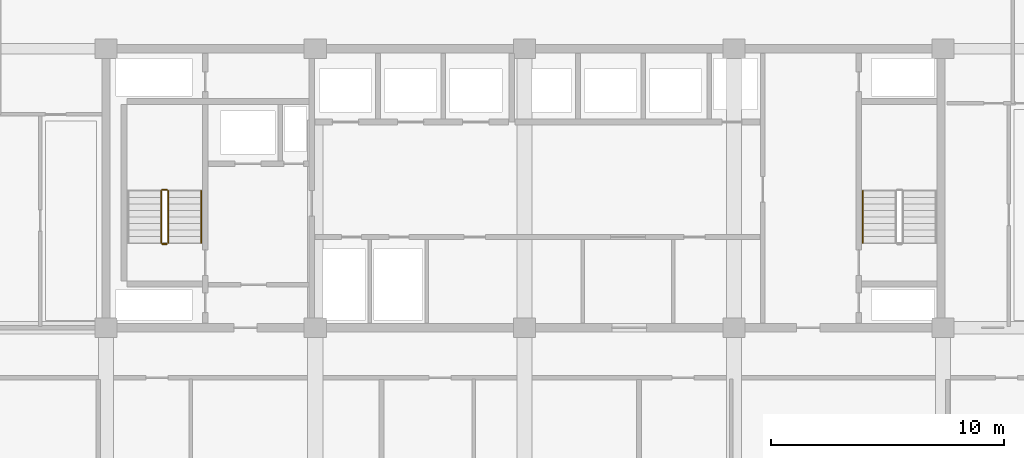
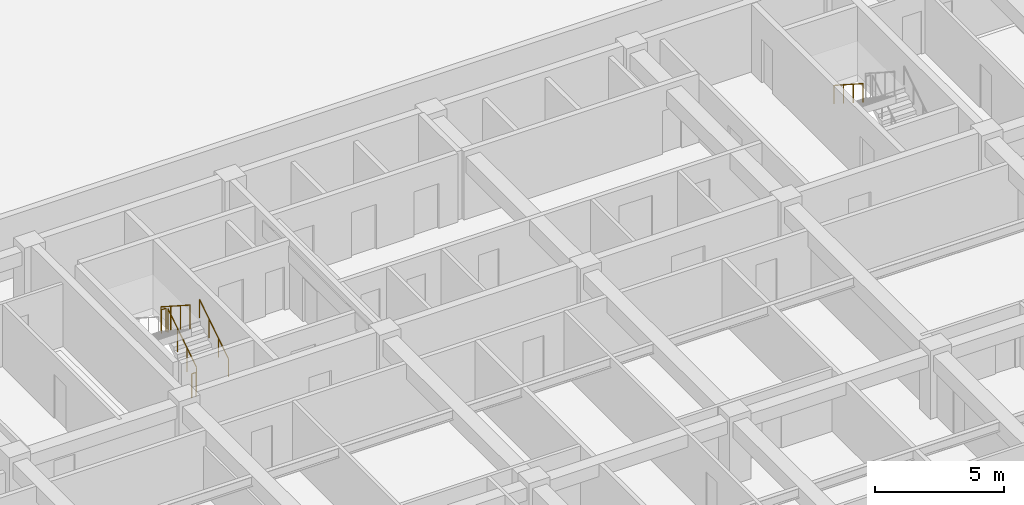
# One storey, part 20 of 24: 6 railings.
"""IFC4 building model written with IfcOpenShell, lengths in metres."""

import ifcopenshell
import ifcopenshell.guid

model = None  # the IFC model being written
_history = None  # IfcOwnerHistory: only IFC2X3 demands one
_inside = {}  # id of a spatial element -> (the spatial element, [elements in it])
_under = {}  # id of a project, library or spatial element -> (it, [spatial elements below it])
_declared = {}  # id of a project -> (the project, [libraries it declares])
_typed = {}  # id of a type object -> (the type object, [elements of that type])
_made_of = {}  # id of a material, layer set ... -> (it, [elements and type objects made of it])


def new_model(schema):
    """Start an empty IFC model of exactly this schema.

    Asked for "IFC4X3", IfcOpenShell would pick the latest addendum, in which some entities
    have other attributes; the version numbers below select the first issue.
    IFC2X3 requires an IfcOwnerHistory on every rooted entity: one is made here for all.
    """
    global model, _history
    if schema == "IFC4X3":
        model = ifcopenshell.file(schema_version=(4, 3, 0, 0))
    else:
        model = ifcopenshell.file(schema=schema)
    _inside.clear()
    _under.clear()
    _declared.clear()
    _typed.clear()
    _made_of.clear()
    _history = None
    if model.schema == "IFC2X3":
        org = make("IfcOrganization", Name="unknown")
        user = make(
            "IfcPersonAndOrganization",
            ThePerson=make("IfcPerson", FamilyName="unknown"),
            TheOrganization=org,
        )
        app = make(
            "IfcApplication",
            ApplicationDeveloper=org,
            Version="unknown",
            ApplicationFullName="unknown",
            ApplicationIdentifier="unknown",
        )
        _history = make(
            "IfcOwnerHistory",
            OwningUser=user,
            OwningApplication=app,
            ChangeAction="ADDED",
            CreationDate=0,
        )
    return model


def make(cls, **values):
    """One entity of the class cls with the attributes given. An attribute that is None is left unset."""
    return model.create_entity(
        cls, **{name: value for name, value in values.items() if value is not None}
    )


def rooted(cls, **values):
    """An entity with a GlobalId (a new one), such as an element, a storey or a relation."""
    return make(cls, GlobalId=ifcopenshell.guid.new(), OwnerHistory=_history, **values)


def si_unit(unit_type, name, prefix=None):
    """IfcSIUnit, for example si_unit("LENGTHUNIT", "METRE", prefix="MILLI")."""
    return make("IfcSIUnit", UnitType=unit_type, Prefix=prefix, Name=name)


def assignment(units):
    """IfcUnitAssignment: the units of a project."""
    return None if units is None else make("IfcUnitAssignment", Units=units)


def point(xyz):
    """IfcCartesianPoint."""
    return None if xyz is None else make("IfcCartesianPoint", Coordinates=xyz)


def direction(xyz):
    """IfcDirection."""
    return None if xyz is None else make("IfcDirection", DirectionRatios=xyz)


def frame(location, z_axis=None, x_axis=None):
    """IfcAxis2Placement3D, a coordinate frame: its origin and axes. An axis left out is left unset."""
    return make(
        "IfcAxis2Placement3D",
        Location=point(location),
        Axis=direction(z_axis),
        RefDirection=direction(x_axis),
    )


def frame_2d(location, x_axis=None):
    """IfcAxis2Placement2D, a coordinate frame in the plane: its origin and x axis."""
    return make(
        "IfcAxis2Placement2D", Location=point(location), RefDirection=direction(x_axis)
    )


def origin():
    """The frame at (0, 0, 0) with its axes left unset."""
    return frame((0.0, 0.0, 0.0))


def origin_2d():
    """The frame at (0, 0) in the plane with its x axis left unset."""
    return frame_2d((0.0, 0.0))


def place(relative_to, where):
    """IfcLocalPlacement: puts the frame where relative to a parent placement (None: the world)."""
    return make(
        "IfcLocalPlacement", PlacementRelTo=relative_to, RelativePlacement=where
    )


def context(
    kind, dimensions, precision=None, world=None, true_north=None, identifier=None
):
    """IfcGeometricRepresentationContext, for example the 3D "Model" context."""
    return make(
        "IfcGeometricRepresentationContext",
        ContextIdentifier=identifier,
        ContextType=kind,
        CoordinateSpaceDimension=dimensions,
        Precision=precision,
        WorldCoordinateSystem=world,
        TrueNorth=true_north,
    )


def subcontext(parent, identifier, kind, view, scale=None):
    """IfcGeometricRepresentationSubContext, for example "Body" below "Model"."""
    return make(
        "IfcGeometricRepresentationSubContext",
        ContextIdentifier=identifier,
        ContextType=kind,
        ParentContext=parent,
        TargetScale=scale,
        TargetView=view,
    )


def project(units=None, contexts=None):
    """IfcProject with its units and contexts."""
    return rooted(
        "IfcProject",
        Name="project",
        RepresentationContexts=contexts,
        UnitsInContext=assignment(units),
    )


def spatial(cls, under=None, at=None, **own):
    """A site, building, storey or space (cls), placed at a placement, below another one or the project."""
    s = rooted(cls, ObjectPlacement=at, **own)
    if under is not None:
        _under.setdefault(under.id(), (under, []))[1].append(s)
    return s


def profile(cls, at=None, kind="AREA", **sizes):
    """A parametric profile (cls). Its sizes go by their IFC names, for example OverallWidth=200.0."""
    return make(cls, ProfileType=kind, Position=at, **sizes)


def circle(**sizes):
    """IfcCircleProfileDef."""
    return profile("IfcCircleProfileDef", **sizes)


def extrude(swept, where, along, depth):
    """IfcExtrudedAreaSolid: the profile swept, set in the frame where, extruded along a direction by depth."""
    return make(
        "IfcExtrudedAreaSolid",
        SweptArea=swept,
        Position=where,
        ExtrudedDirection=direction(along),
        Depth=depth,
    )


def shape(context_of_items, identifier, shape_type, items):
    """IfcShapeRepresentation: the items that make up one representation, for example the "Body"."""
    return make(
        "IfcShapeRepresentation",
        ContextOfItems=context_of_items,
        RepresentationIdentifier=identifier,
        RepresentationType=shape_type,
        Items=items,
    )


def material(Name=None, Category=None):
    """IfcMaterial."""
    return make("IfcMaterial", Name=Name, Category=Category)


def made_of(thing, what):
    """Note that an element or type object is made of a material, layer set ...; save() writes the relation."""
    if what is not None:
        _made_of.setdefault(what.id(), (what, []))[1].append(thing)
    return thing


def type_object(cls, material=None, **own):
    """A type object (cls), such as IfcWallType, which elements share."""
    return made_of(rooted(cls, **own), material)


def element(
    cls,
    number,
    at=None,
    inside=None,
    cuts=None,
    type_object=None,
    material=None,
    context=None,
    identifier="Body",
    shape_type=None,
    held_by="IfcProductDefinitionShape",
    body=None,
    shapes=None,
    **own,
):
    """One element of the class cls, such as IfcWall. Its Tag is "e" and its number.

    at: its placement. inside: the storey or other place that contains it. cuts: it is an
    opening in that element (IfcRelVoidsElement). A single representation is given by context,
    identifier, shape_type and body (its items); several are given by shapes. held_by: the class
    of the entity that holds the representations. save() writes the other relations.
    """
    e = rooted(cls, Tag="e%d" % number, ObjectPlacement=at, **own)
    if body is not None:
        shapes = [shape(context, identifier, shape_type, body)]
    if shapes is not None:
        e.Representation = make(held_by, Representations=shapes)
    if inside is not None:
        _inside.setdefault(inside.id(), (inside, []))[1].append(e)
    if cuts is not None:
        rooted(
            "IfcRelVoidsElement", RelatingBuildingElement=cuts, RelatedOpeningElement=e
        )
    if type_object is not None:
        _typed.setdefault(type_object.id(), (type_object, []))[1].append(e)
    return made_of(e, material)


def aggregate(whole, parts):
    """IfcRelAggregates: a whole, such as a stair, and the parts it consists of."""
    return rooted("IfcRelAggregates", RelatingObject=whole, RelatedObjects=parts)


def save(model, path):
    """Write the relations noted so far, then the file.

    IfcRelAggregates (storeys below a building ...), IfcRelContainedInSpatialStructure (elements
    in a storey), IfcRelDefinesByType, IfcRelAssociatesMaterial and IfcRelDeclares: one each for
    every whole, place, type object, material and project.
    """
    for whole, parts in _under.values():
        aggregate(whole, parts)
    for where, things in _inside.values():
        rooted(
            "IfcRelContainedInSpatialStructure",
            RelatedElements=things,
            RelatingStructure=where,
        )
    for kind, things in _typed.values():
        rooted("IfcRelDefinesByType", RelatedObjects=things, RelatingType=kind)
    for what, things in _made_of.values():
        rooted("IfcRelAssociatesMaterial", RelatedObjects=things, RelatingMaterial=what)
    for by, libraries in _declared.values():
        rooted("IfcRelDeclares", RelatingContext=by, RelatedDefinitions=libraries)
    model.write(path)


model = new_model("IFC4")

# Units and contexts
model_context = context("Model", 3, precision=1e-05, world=origin(), true_north=direction((0.0, 1.0)))
body_context = subcontext(model_context, "Body", "Model", "MODEL_VIEW")
ifc_project = project(units=[si_unit("LENGTHUNIT", "METRE"), si_unit("AREAUNIT", "SQUARE_METRE"), si_unit("VOLUMEUNIT", "CUBIC_METRE"), si_unit("PLANEANGLEUNIT", "RADIAN"), si_unit("MASSUNIT", "GRAM", prefix="KILO")], contexts=[model_context])

# Site, building, storey
site_placement = place(None, origin())
site = spatial("IfcSite", under=ifc_project, at=site_placement, CompositionType="ELEMENT")
building_placement = place(site_placement, origin())
building = spatial("IfcBuilding", under=site, at=building_placement, Name="Korimba Cascade Residences", CompositionType="ELEMENT")
storey_placement = place(building_placement, frame((0.0, 0.0, 24.0)))
storey = spatial("IfcBuildingStorey", under=building, at=storey_placement, Name="L05", CompositionType="ELEMENT", Elevation=24.0)

# Railings
ifc_material_1 = material(Name="Painted Steel Stairwell Guardrail", Category="steel")
railing_type_1 = type_object("IfcRailingType", Name="RLG-ST-GD1150", PredefinedType="GUARDRAIL", material=ifc_material_1)
railing_1_placement = place(storey_placement, frame((84.77001953125, 22.050048828125, 0.1806640625)))
element("IfcRailing", 1, at=railing_1_placement, inside=storey, type_object=railing_type_1, Name="L05 ST-E1 stair guard 1", PredefinedType="GUARDRAIL", context=body_context, shape_type="SweptSolid", body=[
    extrude(circle(Radius=0.02392578125, at=origin_2d()), frame((0.0, 0.0, 1.1259765625), z_axis=(0.0, 0.840436612492, 0.541909863706), x_axis=(-1.0, 0.0, 0.0)), (0.0, 0.0, 1.0), 2.665283203125),
    extrude(circle(Radius=0.02099609375, at=origin_2d()), origin(), (0.0, 0.0, 1.0), 1.101806640625),
    extrude(circle(Radius=0.02099609375, at=origin_2d()), frame((0.0, 0.74658203125, 0.4814453125)), (0.0, 0.0, 1.0), 1.101806640625),
    extrude(circle(Radius=0.02099609375, at=origin_2d()), frame((0.0, 1.493408203125, 0.962890625)), (0.0, 0.0, 1.0), 1.101806640625),
    extrude(circle(Radius=0.02099609375, at=origin_2d()), frame((0.0, 2.239990234375, 1.4443359375)), (0.0, 0.0, 1.0), 1.101806640625),
])
railing_2_placement = place(storey_placement, frame((84.719970703125, 24.340087890625, 1.625)))
element("IfcRailing", 2, at=railing_2_placement, inside=storey, type_object=railing_type_1, Name="L05 ST-E1 stair guard 2", PredefinedType="GUARDRAIL", context=body_context, shape_type="SweptSolid", body=[
    extrude(circle(Radius=0.02392578125, at=origin_2d()), frame((0.0, 0.0, 1.1259765625), z_axis=(-1.0, 0.0, 0.0), x_axis=(0.0, -1.0, 0.0)), (0.0, 0.0, 1.0), 0.199951171875),
    extrude(circle(Radius=0.02099609375, at=origin_2d()), origin(), (0.0, 0.0, 1.0), 1.101806640625),
    extrude(circle(Radius=0.02099609375, at=origin_2d()), frame((-0.199951171875, 0.0, 0.0)), (0.0, 0.0, 1.0), 1.101806640625),
])
railing_3_placement = place(storey_placement, frame((84.469970703125, 24.2900390625, 1.8056640625)))
element("IfcRailing", 3, at=railing_3_placement, inside=storey, type_object=railing_type_1, Name="L05 ST-E1 stair guard 3", PredefinedType="GUARDRAIL", context=body_context, shape_type="SweptSolid", body=[
    extrude(circle(Radius=0.02392578125, at=origin_2d()), frame((0.0, 0.0, 1.1259765625), z_axis=(0.0, -0.840436612492, 0.541909863706), x_axis=(1.0, 0.0, 0.0)), (0.0, 0.0, 1.0), 2.665283203125),
    extrude(circle(Radius=0.02099609375, at=origin_2d()), origin(), (0.0, 0.0, 1.0), 1.101806640625),
    extrude(circle(Radius=0.02099609375, at=origin_2d()), frame((0.0, -0.74658203125, 0.4814453125)), (0.0, 0.0, 1.0), 1.101806640625),
    extrude(circle(Radius=0.02099609375, at=origin_2d()), frame((0.0, -1.493408203125, 0.962890625)), (0.0, 0.0, 1.0), 1.101806640625),
    extrude(circle(Radius=0.02099609375, at=origin_2d()), frame((0.0, -2.239990234375, 1.4443359375)), (0.0, 0.0, 1.0), 1.101806640625),
])
railing_4_placement = place(storey_placement, frame((84.719970703125, 22.0, 0.0)))
element("IfcRailing", 4, at=railing_4_placement, inside=storey, type_object=railing_type_1, Name="L05 ST-E1 stair guard 4", PredefinedType="GUARDRAIL", context=body_context, shape_type="SweptSolid", body=[
    extrude(circle(Radius=0.02392578125, at=origin_2d()), frame((0.0, 0.0, 1.1259765625), z_axis=(-1.0, 0.0, 0.0), x_axis=(0.0, -1.0, 0.0)), (0.0, 0.0, 1.0), 0.199951171875),
    extrude(circle(Radius=0.02099609375, at=origin_2d()), origin(), (0.0, 0.0, 1.0), 1.101806640625),
    extrude(circle(Radius=0.02099609375, at=origin_2d()), frame((-0.199951171875, 0.0, 0.0)), (0.0, 0.0, 1.0), 1.101806640625),
])
ifc_material_2 = material(Name="Brushed Stainless Steel Handrail", Category="steel")
railing_type_2 = type_object("IfcRailingType", Name="RLG-ST-HR900", PredefinedType="HANDRAIL", material=ifc_material_2)
railing_5_placement = place(storey_placement, frame((86.18994140625, 22.050048828125, 0.364990234375)))
element("IfcRailing", 5, at=railing_5_placement, inside=storey, type_object=railing_type_2, Name="L05 ST-E1 stair handrail 1", PredefinedType="HANDRAIL", context=body_context, shape_type="SweptSolid", body=[
    extrude(circle(Radius=0.02392578125, at=origin_2d()), frame((0.0, 0.0, 0.8759765625), z_axis=(0.0, 0.840436612492, 0.541909863706), x_axis=(-1.0, 0.0, 0.0)), (0.0, 0.0, 1.0), 2.665283203125),
    extrude(circle(Radius=0.02099609375, at=origin_2d()), origin(), (0.0, 0.0, 1.0), 0.851806640625),
    extrude(circle(Radius=0.02099609375, at=origin_2d()), frame((0.0, 0.74658203125, 0.4814453125)), (0.0, 0.0, 1.0), 0.851806640625),
    extrude(circle(Radius=0.02099609375, at=origin_2d()), frame((0.0, 1.493408203125, 0.962890625)), (0.0, 0.0, 1.0), 0.851806640625),
    extrude(circle(Radius=0.02099609375, at=origin_2d()), frame((0.0, 2.239990234375, 1.4443359375)), (0.0, 0.0, 1.0), 0.851806640625),
])
railing_6_placement = place(storey_placement, frame((114.64990234375, 24.2900390625, 1.989990234375)))
element("IfcRailing", 6, at=railing_6_placement, inside=storey, type_object=railing_type_2, Name="L05 ST-E2 stair handrail 2", PredefinedType="HANDRAIL", context=body_context, shape_type="SweptSolid", body=[
    extrude(circle(Radius=0.02392578125, at=origin_2d()), frame((0.0, 0.0, 0.8759765625), z_axis=(0.0, -0.840436612492, 0.541909863706), x_axis=(1.0, 0.0, 0.0)), (0.0, 0.0, 1.0), 2.665283203125),
    extrude(circle(Radius=0.02099609375, at=origin_2d()), origin(), (0.0, 0.0, 1.0), 0.851806640625),
    extrude(circle(Radius=0.02099609375, at=origin_2d()), frame((0.0, -0.74658203125, 0.4814453125)), (0.0, 0.0, 1.0), 0.851806640625),
    extrude(circle(Radius=0.02099609375, at=origin_2d()), frame((0.0, -1.493408203125, 0.962890625)), (0.0, 0.0, 1.0), 0.851806640625),
    extrude(circle(Radius=0.02099609375, at=origin_2d()), frame((0.0, -2.239990234375, 1.4443359375)), (0.0, 0.0, 1.0), 0.851806640625),
])

save(model, "model.ifc")
